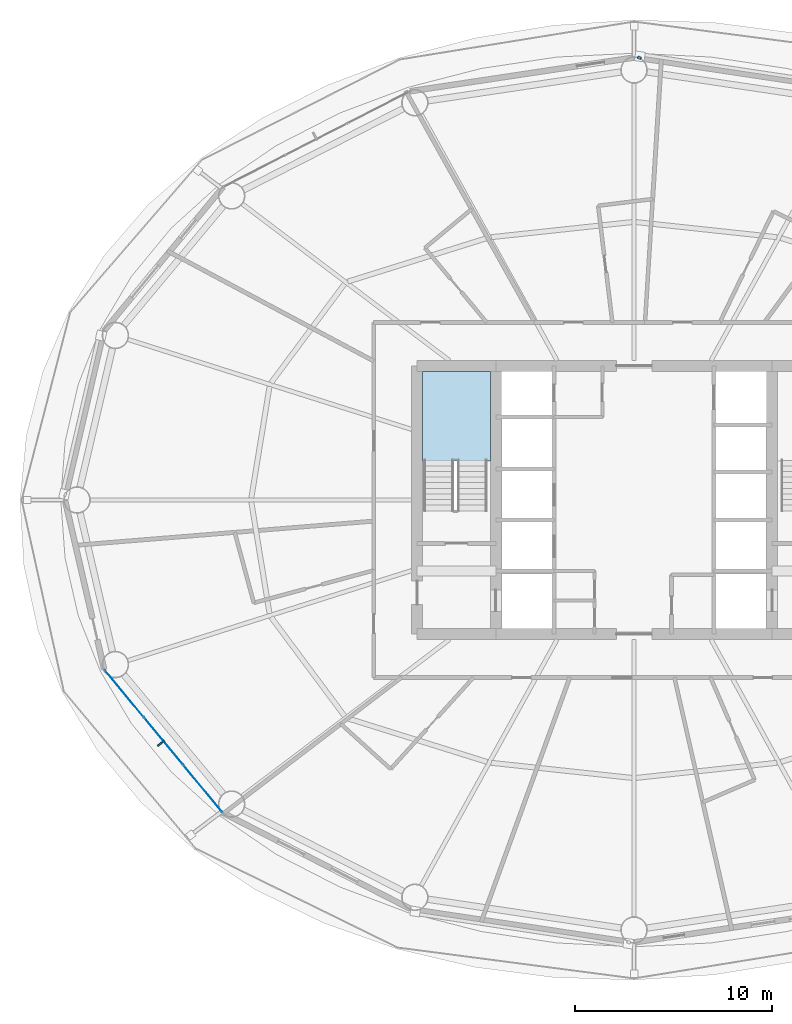
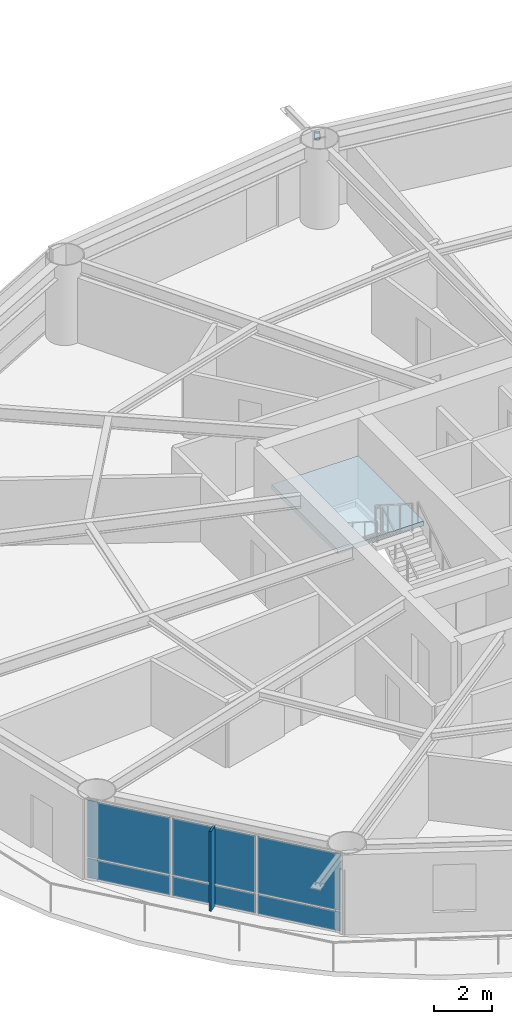
# One storey, part 14 of 24: 7 plates, 1 member, 1 slab, 2 elements without a shape of their own.
"""IFC4 building model written with IfcOpenShell, lengths in metres."""

from ifc_helpers import new_model, si_unit, direction, frame, origin, origin_2d, place, context, subcontext, project, spatial, polyline, rectangle, hollow_rectangle, outline, extrude, material, layer, layer_set, material_profile, profile_set, type_object, element, aggregate, save


model = new_model("IFC4")

# Units and contexts
model_context = context("Model", 3, precision=1e-05, world=origin(), true_north=direction((0.0, 1.0)))
body_context = subcontext(model_context, "Body", "Model", "MODEL_VIEW")
ifc_project = project(units=[si_unit("LENGTHUNIT", "METRE"), si_unit("AREAUNIT", "SQUARE_METRE"), si_unit("VOLUMEUNIT", "CUBIC_METRE"), si_unit("PLANEANGLEUNIT", "RADIAN"), si_unit("MASSUNIT", "GRAM", prefix="KILO")], contexts=[model_context])

# Site, building, storey
site_placement = place(None, origin())
site = spatial("IfcSite", under=ifc_project, at=site_placement, CompositionType="ELEMENT")
building_placement = place(site_placement, origin())
building = spatial("IfcBuilding", under=site, at=building_placement, Name="Sarneth Arch Tower", CompositionType="ELEMENT")
storey_placement = place(building_placement, frame((0.0, 0.0, 127.199951171875)))
storey = spatial("IfcBuildingStorey", under=building, at=storey_placement, Name="L32", CompositionType="ELEMENT", Elevation=127.199951171875)

# Member
ifc_material_1 = material(Name="Steel S355", Category="steel")
ifc_material_profile = material_profile(ifc_material_1, hollow_rectangle(XDim=0.199951171875, YDim=0.300048828125, WallThickness=0.012451171875, InnerFilletRadius=0.018798828125, OuterFilletRadius=0.03125, at=origin_2d()), Name="RHS300x200x12.5")
ifc_profile_set = profile_set([ifc_material_profile], Name="Steel S355")
member_type = type_object("IfcMemberType", Name="MEM-CANT-STRUT", PredefinedType="STRUT", material=ifc_profile_set)
member_placement = place(storey_placement, frame((48.2412109375, 64.357421875, 3.013427734375), z_axis=(0.397509148639, 0.917598210955, 0.0), x_axis=(-0.917598210955, 0.397509148639, 0.0)))
element("IfcMember", 1, at=member_placement, inside=storey, type_object=member_type, Name="L32 Exoskeleton brace node strut 04B", PredefinedType="STRUT", context=body_context, shape_type="SweptSolid", body=[
    extrude(hollow_rectangle(XDim=0.199951171875, YDim=0.300048828125, WallThickness=0.012451171875, InnerFilletRadius=0.018798828125, OuterFilletRadius=0.03125, at=origin_2d()), origin(), (0.0, 0.0, 1.0), 0.139404296875),
])

# Curtain wall, plates
ifc_material_2 = material(Name="Anodised aluminium Type AA25 and solar-control low-e laminated IGU", Category="aluminium")
ifc_layer_1 = layer(ifc_material_2, 0.159912109375)
ifc_layer_set_1 = layer_set([ifc_layer_1], Name="Anodised aluminium Type AA25 and solar-control low-e laminated IGU")
curtain_wall_type = type_object("IfcCurtainWallType", Name="CW-HOTEL-MID", PredefinedType="NOTDEFINED", material=ifc_layer_set_1)
curtain_wall_placement = place(storey_placement, origin())
curtain_wall = element("IfcCurtainWall", 2, at=curtain_wall_placement, inside=storey, type_object=curtain_wall_type, Name="L32 Unitised curtain wall facet 10", PredefinedType="NOTDEFINED")
ifc_material_3 = material(Name="Solar-control low-e laminated IGU", Category="glass")
ifc_layer_2 = layer(ifc_material_3, 0.028076171875)
ifc_layer_set_2 = layer_set([ifc_layer_2], Name="Solar-control low-e laminated IGU")
plate_type_1 = type_object("IfcPlateType", Name="CW-PANEL", PredefinedType="CURTAIN_PANEL", material=ifc_layer_set_2)
plate_1_placement = place(storey_placement, frame((22.15185546875, 32.192138671875, 0.06005859375), z_axis=(0.0, 0.0, 1.0), x_axis=(0.637515188684, -0.770437787363, 0.0)))
plate_1 = element("IfcPlate", 3, at=plate_1_placement, type_object=plate_type_1, Name="Curtain wall glazed vision pane CW-L32-F10/P00-00", PredefinedType="CURTAIN_PANEL", context=body_context, shape_type="SweptSolid", body=[
    extrude(rectangle(XDim=3.058349609375, YDim=0.028076171875, at=origin_2d()), origin(), (0.0, 0.0, 1.0), 0.81005859375),
])
plate_2_placement = place(storey_placement, frame((22.15185546875, 32.192138671875, 0.93017578125), z_axis=(0.0, 0.0, 1.0), x_axis=(0.637515188684, -0.770437787363, 0.0)))
plate_2 = element("IfcPlate", 4, at=plate_2_placement, type_object=plate_type_1, Name="Curtain wall glazed vision pane CW-L32-F10/P00-01", PredefinedType="CURTAIN_PANEL", context=body_context, shape_type="SweptSolid", body=[
    extrude(rectangle(XDim=3.058349609375, YDim=0.028076171875, at=origin_2d()), origin(), (0.0, 0.0, 1.0), 2.389892578125),
])
plate_3_placement = place(storey_placement, frame((24.1494140625, 29.778076171875, 0.06005859375), z_axis=(0.0, 0.0, 1.0), x_axis=(0.637515188684, -0.770437787363, 0.0)))
plate_3 = element("IfcPlate", 5, at=plate_3_placement, type_object=plate_type_1, Name="Curtain wall glazed vision pane CW-L32-F10/P01-00", PredefinedType="CURTAIN_PANEL", context=body_context, shape_type="SweptSolid", body=[
    extrude(rectangle(XDim=3.08837890625, YDim=0.028076171875, at=origin_2d()), origin(), (0.0, 0.0, 1.0), 0.81005859375),
])
plate_4_placement = place(storey_placement, frame((24.1494140625, 29.778076171875, 0.93017578125), z_axis=(0.0, 0.0, 1.0), x_axis=(0.637515188684, -0.770437787363, 0.0)))
plate_4 = element("IfcPlate", 6, at=plate_4_placement, type_object=plate_type_1, Name="Curtain wall glazed vision pane CW-L32-F10/P01-01", PredefinedType="CURTAIN_PANEL", context=body_context, shape_type="SweptSolid", body=[
    extrude(rectangle(XDim=3.08837890625, YDim=0.028076171875, at=origin_2d()), origin(), (0.0, 0.0, 1.0), 2.389892578125),
])
plate_5_placement = place(storey_placement, frame((26.14697265625, 27.364013671875, 0.06005859375), z_axis=(0.0, 0.0, 1.0), x_axis=(0.637515188684, -0.770437787363, 0.0)))
plate_5 = element("IfcPlate", 7, at=plate_5_placement, type_object=plate_type_1, Name="Curtain wall glazed vision pane CW-L32-F10/P02-00", PredefinedType="CURTAIN_PANEL", context=body_context, shape_type="SweptSolid", body=[
    extrude(rectangle(XDim=3.058349609375, YDim=0.028076171875, at=origin_2d()), origin(), (0.0, 0.0, 1.0), 0.81005859375),
])
plate_6_placement = place(storey_placement, frame((26.14697265625, 27.364013671875, 0.93017578125), z_axis=(0.0, 0.0, 1.0), x_axis=(0.637515188684, -0.770437787363, 0.0)))
plate_6 = element("IfcPlate", 8, at=plate_6_placement, type_object=plate_type_1, Name="Curtain wall glazed vision pane CW-L32-F10/P02-01", PredefinedType="CURTAIN_PANEL", context=body_context, shape_type="SweptSolid", body=[
    extrude(rectangle(XDim=3.058349609375, YDim=0.028076171875, at=origin_2d()), origin(), (0.0, 0.0, 1.0), 2.389892578125),
])
aggregate(curtain_wall, [plate_1, plate_2, plate_3, plate_4, plate_5, plate_6])

# Plate
ifc_material_4 = material(Name="Extruded glazed terracotta baguette fin on Aluminium 6063-T6 carrier", Category="masonry")
ifc_layer_3 = layer(ifc_material_4, 0.080078125)
ifc_layer_set_3 = layer_set([ifc_layer_3], Name="Extruded glazed terracotta baguette fin on Aluminium 6063-T6 carrier")
plate_type_2 = type_object("IfcPlateType", Name="SHADE-TERRA-FIN", PredefinedType="SHEET", material=ifc_layer_set_3)
plate_7_placement = place(storey_placement, frame((24.018310546875, 29.669677734375, 0.009765625), z_axis=(0.0, 0.0, 1.0), x_axis=(-0.770401979567, -0.63755845997, 0.0)))
element("IfcPlate", 9, at=plate_7_placement, inside=storey, type_object=plate_type_2, Name="L32 Terracotta vertical shading fin 10", PredefinedType="SHEET", context=body_context, shape_type="SweptSolid", body=[
    extrude(rectangle(XDim=0.419921875, YDim=0.080078125, at=origin_2d()), origin(), (0.0, 0.0, 1.0), 3.360107421875),
])

# Stair, slab
ifc_material_5 = material(Name="Concrete C50/60", Category="concrete")
stair_type = type_object("IfcStairType", Name="STAIR-CORE-RC", PredefinedType="HALF_TURN_STAIR", material=ifc_material_5)
stair_placement = place(storey_placement, origin())
stair = element("IfcStair", 10, at=stair_placement, inside=storey, type_object=stair_type, Name="L32 Core Exit Stair 1", PredefinedType="HALF_TURN_STAIR")
ifc_material_6 = material(Name="Concrete C50/60", Category="concrete")
ifc_layer_4 = layer(ifc_material_6, 0.199951171875)
ifc_layer_set_4 = layer_set([ifc_layer_4], Name="Concrete C50/60")
slab_type = type_object("IfcSlabType", Name="SLAB-LANDING-200", PredefinedType="LANDING", material=ifc_layer_set_4)
slab_placement = place(storey_placement, frame((0.0, 0.0, 1.60009765625)))
slab = element("IfcSlab", 11, at=slab_placement, type_object=slab_type, Name="ST-1 landing 1", PredefinedType="LANDING", context=body_context, shape_type="SweptSolid", body=[
    extrude(outline(polyline([(37.27490234375, 43.985107421875), (40.72509765625, 43.985107421875), (40.72509765625, 48.52490234375), (37.27490234375, 48.52490234375), (37.27490234375, 43.985107421875)])), origin(), (0.0, 0.0, 1.0), 0.199951171875),
])
aggregate(stair, [slab])

save(model, "model.ifc")
